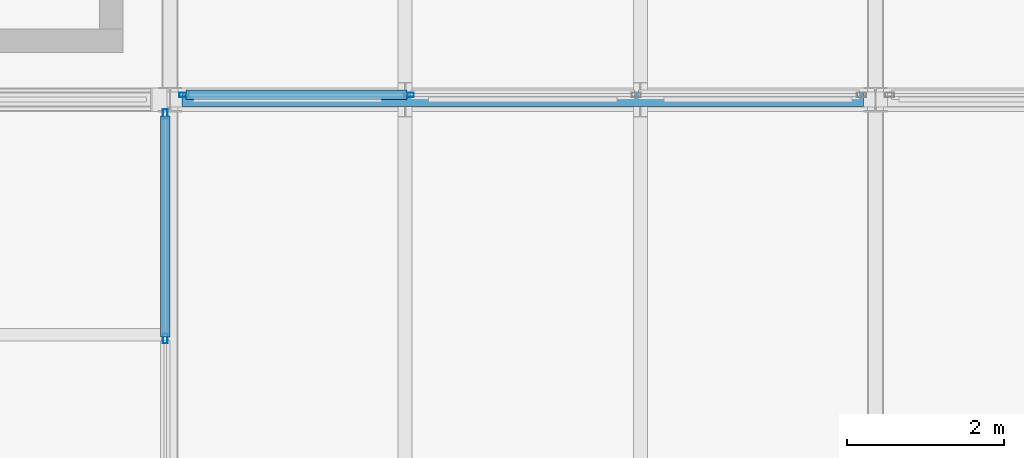
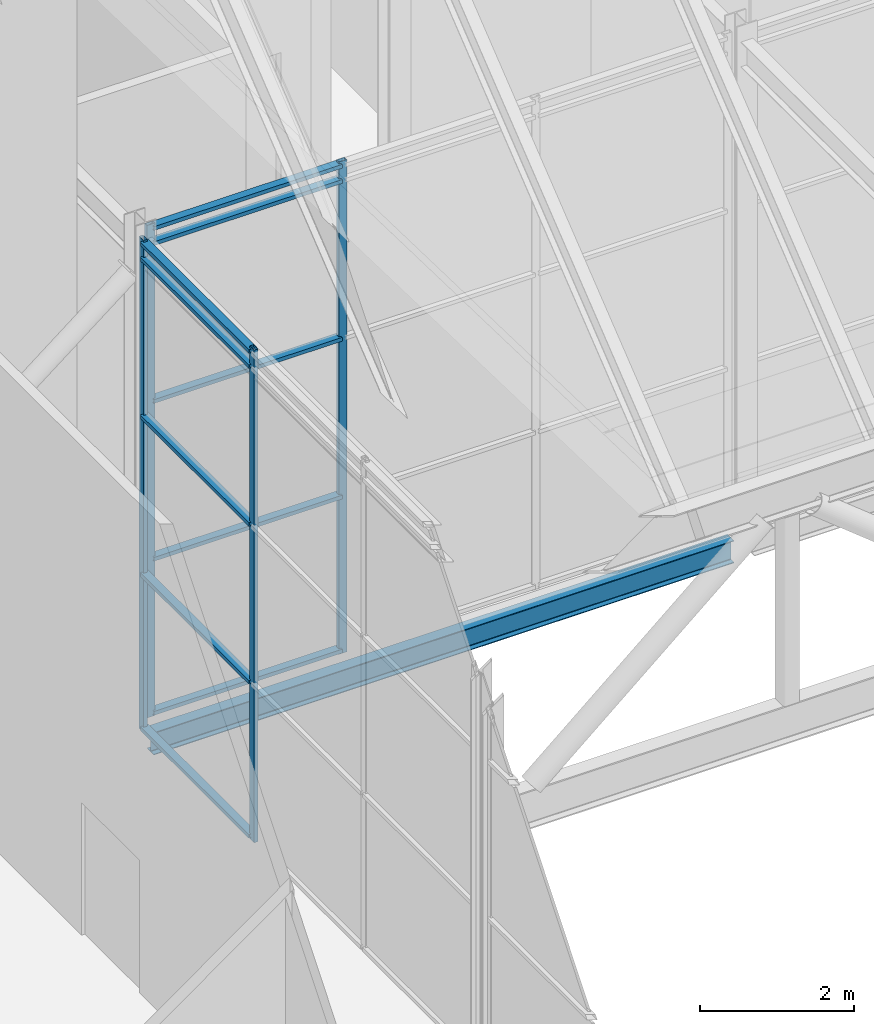
# One storey, part 41 of 144: 14 members, 1 beam, 2 elements without a shape of their own.
"""IFC4 building model written with IfcOpenShell, lengths in metres."""

from ifc_helpers import new_model, si_unit, direction, frame, origin, origin_2d, place, context, subcontext, project, spatial, hollow_rectangle, i_section, extrude, material, layer, layer_set, material_profile, profile_set, type_object, element, aggregate, save


model = new_model("IFC4")

# Units and contexts
model_context = context("Model", 3, precision=1e-05, world=origin(), true_north=direction((0.0, 1.0)))
body_context = subcontext(model_context, "Body", "Model", "MODEL_VIEW")
ifc_project = project(units=[si_unit("LENGTHUNIT", "METRE"), si_unit("AREAUNIT", "SQUARE_METRE"), si_unit("VOLUMEUNIT", "CUBIC_METRE"), si_unit("PLANEANGLEUNIT", "RADIAN"), si_unit("MASSUNIT", "GRAM", prefix="KILO")], contexts=[model_context])

# Site, building, storey
site_placement = place(None, origin())
site = spatial("IfcSite", under=ifc_project, at=site_placement, CompositionType="ELEMENT")
building_placement = place(site_placement, origin())
building = spatial("IfcBuilding", under=site, at=building_placement, Name="Shorebreak Coast Museum", CompositionType="ELEMENT")
storey_placement = place(building_placement, frame((0.0, 0.0, 36.0)))
storey = spatial("IfcBuildingStorey", under=building, at=storey_placement, Name="L06", CompositionType="ELEMENT", Elevation=36.0)

# Beam
ifc_material_1 = material(Name="Steel Grade 300", Category="steel")
ifc_material_profile_1 = material_profile(ifc_material_1, i_section(OverallWidth=0.1708984375, OverallDepth=0.355712890625, WebThickness=0.00732421875, FlangeThickness=0.011474609375, FilletRadius=0.011474609375, at=origin_2d()), Name="360UB50.7")
ifc_profile_set_1 = profile_set([ifc_material_profile_1], Name="Steel Grade 300")
beam_type = type_object("IfcBeamType", Name="Floor girder east-west 360UB50.7", PredefinedType="BEAM", material=ifc_profile_set_1)
beam_placement = place(storey_placement, frame((63.153564453125, 81.0, -0.352783203125), z_axis=(1.0, 0.0, 0.0), x_axis=(0.0, 1.0, 0.0)))
element("IfcBeam", 1, at=beam_placement, inside=storey, type_object=beam_type, Name="Floor girder east-west L06 8K", PredefinedType="BEAM", context=body_context, shape_type="SweptSolid", body=[
    extrude(i_section(OverallWidth=0.1708984375, OverallDepth=0.355712890625, WebThickness=0.00732421875, FlangeThickness=0.011474609375, FilletRadius=0.011474609375, at=origin_2d()), origin(), (0.0, 0.0, 1.0), 8.69287109375),
])

# Curtain wall, members
ifc_material_2 = material(Name="Aluminium", Category="aluminium")
ifc_layer = layer(ifc_material_2, 0.1201171875)
ifc_layer_set = layer_set([ifc_layer], Name="Aluminium")
curtain_wall_type = type_object("IfcCurtainWallType", Name="Atrium fire screen", PredefinedType="NOTDEFINED", material=ifc_layer_set)
curtain_wall_1_placement = place(storey_placement, origin())
curtain_wall_1 = element("IfcCurtainWall", 2, at=curtain_wall_1_placement, inside=storey, type_object=curtain_wall_type, Name="Atrium screen L06 N 84", PredefinedType="NOTDEFINED")
ifc_material_3 = material(Name="Aluminium", Category="aluminium")
ifc_material_profile_2 = material_profile(ifc_material_3, hollow_rectangle(XDim=0.06005859375, YDim=0.1201171875, WallThickness=0.00341796875, at=origin_2d()), Name="AL 120x60 RHS")
ifc_profile_set_2 = profile_set([ifc_material_profile_2], Name="Aluminium")
member_type_1 = type_object("IfcMemberType", Name="Screen mullion 50 x 120", PredefinedType="MULLION", material=ifc_profile_set_2)
member_1_placement = place(storey_placement, frame((63.178466796875, 81.06005859375, 0.0), z_axis=(0.0, 0.0, 1.0), x_axis=(0.0, 1.0, 0.0)))
member_1 = element("IfcMember", 3, at=member_1_placement, type_object=member_type_1, Name="CW4 mullion 1", PredefinedType="MULLION", context=body_context, shape_type="SweptSolid", body=[
    extrude(hollow_rectangle(XDim=0.06005859375, YDim=0.1201171875, WallThickness=0.00341796875, at=origin_2d()), origin(), (0.0, 0.0, 1.0), 7.800048828125),
])
member_2_placement = place(storey_placement, frame((66.05126953125, 81.06005859375, 0.0), z_axis=(0.0, 0.0, 1.0), x_axis=(0.0, 1.0, 0.0)))
member_2 = element("IfcMember", 4, at=member_2_placement, type_object=member_type_1, Name="CW4 mullion 2", PredefinedType="MULLION", context=body_context, shape_type="SweptSolid", body=[
    extrude(hollow_rectangle(XDim=0.06005859375, YDim=0.1201171875, WallThickness=0.00341796875, at=origin_2d()), origin(), (0.0, 0.0, 1.0), 7.800048828125),
])

curtain_wall_2_placement = place(storey_placement, origin())
curtain_wall_2 = element("IfcCurtainWall", 5, at=curtain_wall_2_placement, inside=storey, type_object=curtain_wall_type, Name="Atrium screen L06 W 90", PredefinedType="NOTDEFINED")
member_3_placement = place(storey_placement, frame((62.93994140625, 77.94970703125, 0.0), z_axis=(0.0, 0.0, 1.0), x_axis=(-1.0, 0.0, 0.0)))
member_3 = element("IfcMember", 6, at=member_3_placement, type_object=member_type_1, Name="CW4 mullion 3", PredefinedType="MULLION", context=body_context, shape_type="SweptSolid", body=[
    extrude(hollow_rectangle(XDim=0.06005859375, YDim=0.1201171875, WallThickness=0.00341796875, at=origin_2d()), origin(), (0.0, 0.0, 1.0), 7.800048828125),
])
member_4_placement = place(storey_placement, frame((62.93994140625, 80.817626953125, 0.0), z_axis=(0.0, 0.0, 1.0), x_axis=(-1.0, 0.0, 0.0)))
member_4 = element("IfcMember", 7, at=member_4_placement, type_object=member_type_1, Name="CW4 mullion 4", PredefinedType="MULLION", context=body_context, shape_type="SweptSolid", body=[
    extrude(hollow_rectangle(XDim=0.06005859375, YDim=0.1201171875, WallThickness=0.00341796875, at=origin_2d()), origin(), (0.0, 0.0, 1.0), 7.800048828125),
])

# Member
ifc_material_4 = material(Name="Aluminium", Category="aluminium")
ifc_material_profile_3 = material_profile(ifc_material_4, hollow_rectangle(XDim=0.1201171875, YDim=0.06005859375, WallThickness=0.00341796875, at=origin_2d()), Name="AL 60x120 RHS")
ifc_profile_set_3 = profile_set([ifc_material_profile_3], Name="Aluminium")
member_type_2 = type_object("IfcMemberType", Name="Screen transom 120 x 50", PredefinedType="USERDEFINED", material=ifc_profile_set_3)
member_5_placement = place(storey_placement, frame((63.20361328125, 81.06005859375, 0.06005859375), z_axis=(1.0, 0.0, 0.0), x_axis=(0.0, 1.0, 0.0)))
member_5 = element("IfcMember", 8, at=member_5_placement, type_object=member_type_2, Name="CW4 transom 1.1", ObjectType="TRANSOM", PredefinedType="USERDEFINED", context=body_context, shape_type="SweptSolid", body=[
    extrude(hollow_rectangle(XDim=0.1201171875, YDim=0.06005859375, WallThickness=0.00341796875, at=origin_2d()), origin(), (0.0, 0.0, 1.0), 2.822509765625),
])

member_6_placement = place(storey_placement, frame((63.20361328125, 81.06005859375, 2.5), z_axis=(1.0, 0.0, 0.0), x_axis=(0.0, 1.0, 0.0)))
member_6 = element("IfcMember", 9, at=member_6_placement, type_object=member_type_2, Name="CW4 transom 1.2", ObjectType="TRANSOM", PredefinedType="USERDEFINED", context=body_context, shape_type="SweptSolid", body=[
    extrude(hollow_rectangle(XDim=0.1201171875, YDim=0.06005859375, WallThickness=0.00341796875, at=origin_2d()), origin(), (0.0, 0.0, 1.0), 2.822509765625),
])

member_7_placement = place(storey_placement, frame((63.20361328125, 81.06005859375, 5.0), z_axis=(1.0, 0.0, 0.0), x_axis=(0.0, 1.0, 0.0)))
member_7 = element("IfcMember", 10, at=member_7_placement, type_object=member_type_2, Name="CW4 transom 1.3", ObjectType="TRANSOM", PredefinedType="USERDEFINED", context=body_context, shape_type="SweptSolid", body=[
    extrude(hollow_rectangle(XDim=0.1201171875, YDim=0.06005859375, WallThickness=0.00341796875, at=origin_2d()), origin(), (0.0, 0.0, 1.0), 2.822509765625),
])

member_8_placement = place(storey_placement, frame((63.20361328125, 81.06005859375, 7.5), z_axis=(1.0, 0.0, 0.0), x_axis=(0.0, 1.0, 0.0)))
member_8 = element("IfcMember", 11, at=member_8_placement, type_object=member_type_2, Name="CW4 transom 1.4", ObjectType="TRANSOM", PredefinedType="USERDEFINED", context=body_context, shape_type="SweptSolid", body=[
    extrude(hollow_rectangle(XDim=0.1201171875, YDim=0.06005859375, WallThickness=0.00341796875, at=origin_2d()), origin(), (0.0, 0.0, 1.0), 2.822509765625),
])

member_9_placement = place(storey_placement, frame((63.20361328125, 81.06005859375, 7.739990234375), z_axis=(1.0, 0.0, 0.0), x_axis=(0.0, 1.0, 0.0)))
member_9 = element("IfcMember", 12, at=member_9_placement, type_object=member_type_2, Name="CW4 transom 1.5", ObjectType="TRANSOM", PredefinedType="USERDEFINED", context=body_context, shape_type="SweptSolid", body=[
    extrude(hollow_rectangle(XDim=0.1201171875, YDim=0.06005859375, WallThickness=0.00341796875, at=origin_2d()), origin(), (0.0, 0.0, 1.0), 2.822509765625),
])

aggregate(curtain_wall_1, [member_1, member_2, member_5, member_6, member_7, member_8, member_9])

member_10_placement = place(storey_placement, frame((62.93994140625, 77.974609375, 0.06005859375), z_axis=(0.0, 1.0, 0.0), x_axis=(-1.0, 0.0, 0.0)))
member_10 = element("IfcMember", 13, at=member_10_placement, type_object=member_type_2, Name="CW4 transom 3.1", ObjectType="TRANSOM", PredefinedType="USERDEFINED", context=body_context, shape_type="SweptSolid", body=[
    extrude(hollow_rectangle(XDim=0.1201171875, YDim=0.06005859375, WallThickness=0.00341796875, at=origin_2d()), origin(), (0.0, 0.0, 1.0), 2.818115234375),
])

member_11_placement = place(storey_placement, frame((62.93994140625, 77.974609375, 2.5), z_axis=(0.0, 1.0, 0.0), x_axis=(-1.0, 0.0, 0.0)))
member_11 = element("IfcMember", 14, at=member_11_placement, type_object=member_type_2, Name="CW4 transom 3.2", ObjectType="TRANSOM", PredefinedType="USERDEFINED", context=body_context, shape_type="SweptSolid", body=[
    extrude(hollow_rectangle(XDim=0.1201171875, YDim=0.06005859375, WallThickness=0.00341796875, at=origin_2d()), origin(), (0.0, 0.0, 1.0), 2.818115234375),
])

member_12_placement = place(storey_placement, frame((62.93994140625, 77.974609375, 5.0), z_axis=(0.0, 1.0, 0.0), x_axis=(-1.0, 0.0, 0.0)))
member_12 = element("IfcMember", 15, at=member_12_placement, type_object=member_type_2, Name="CW4 transom 3.3", ObjectType="TRANSOM", PredefinedType="USERDEFINED", context=body_context, shape_type="SweptSolid", body=[
    extrude(hollow_rectangle(XDim=0.1201171875, YDim=0.06005859375, WallThickness=0.00341796875, at=origin_2d()), origin(), (0.0, 0.0, 1.0), 2.818115234375),
])

member_13_placement = place(storey_placement, frame((62.93994140625, 77.974609375, 7.5), z_axis=(0.0, 1.0, 0.0), x_axis=(-1.0, 0.0, 0.0)))
member_13 = element("IfcMember", 16, at=member_13_placement, type_object=member_type_2, Name="CW4 transom 3.4", ObjectType="TRANSOM", PredefinedType="USERDEFINED", context=body_context, shape_type="SweptSolid", body=[
    extrude(hollow_rectangle(XDim=0.1201171875, YDim=0.06005859375, WallThickness=0.00341796875, at=origin_2d()), origin(), (0.0, 0.0, 1.0), 2.818115234375),
])

member_14_placement = place(storey_placement, frame((62.93994140625, 77.974609375, 7.739990234375), z_axis=(0.0, 1.0, 0.0), x_axis=(-1.0, 0.0, 0.0)))
member_14 = element("IfcMember", 17, at=member_14_placement, type_object=member_type_2, Name="CW4 transom 3.5", ObjectType="TRANSOM", PredefinedType="USERDEFINED", context=body_context, shape_type="SweptSolid", body=[
    extrude(hollow_rectangle(XDim=0.1201171875, YDim=0.06005859375, WallThickness=0.00341796875, at=origin_2d()), origin(), (0.0, 0.0, 1.0), 2.818115234375),
])

aggregate(curtain_wall_2, [member_3, member_4, member_10, member_11, member_12, member_13, member_14])

save(model, "model.ifc")
